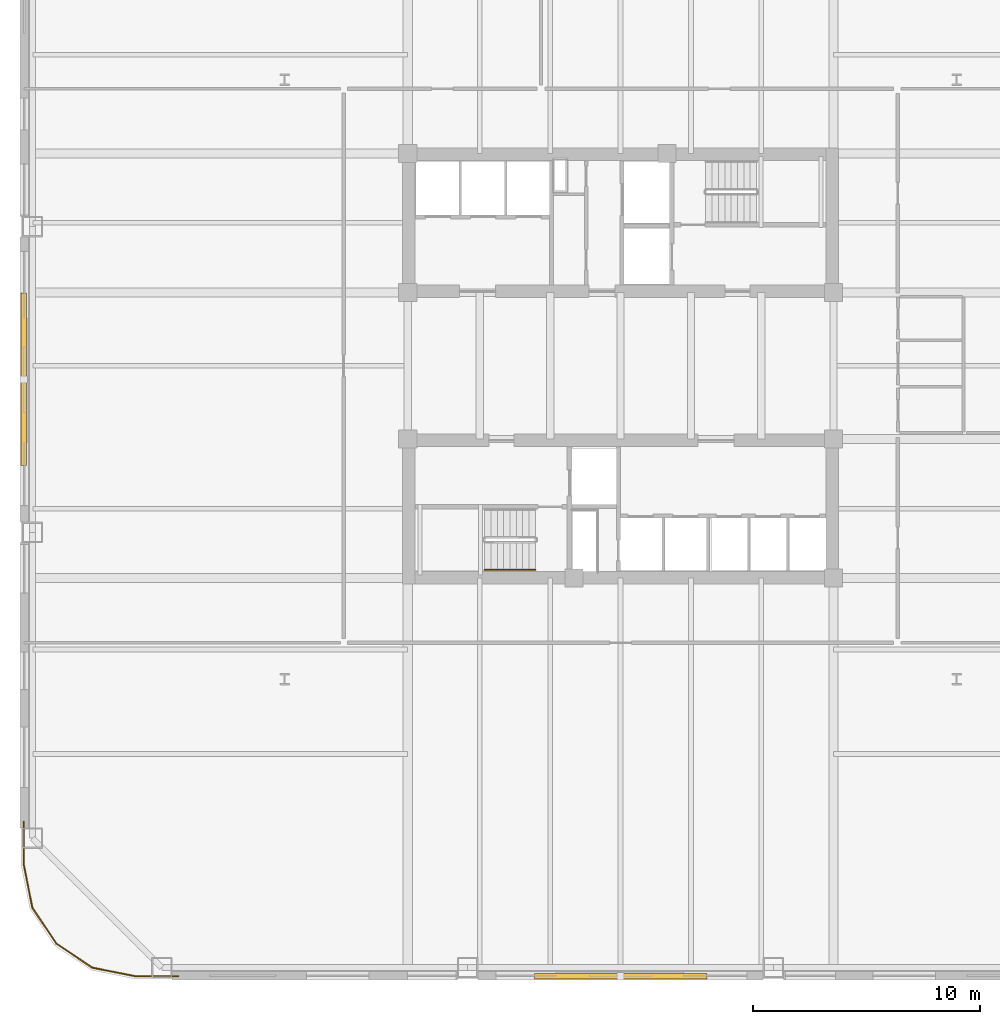
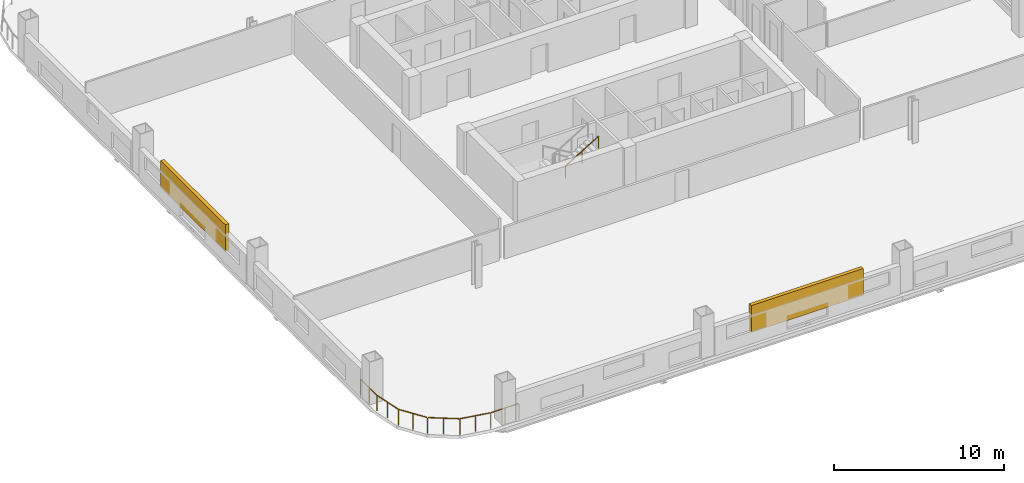
# One storey, part 6 of 11: 2 railings, 2 shading devices.
"""IFC4 building model written with IfcOpenShell, lengths in metres."""

from ifc_helpers import new_model, si_unit, direction, frame, origin, origin_2d, place, context, subcontext, project, spatial, rectangle, extrude, material, type_object, element, save


model = new_model("IFC4")

# Units and contexts
model_context = context("Model", 3, precision=1e-05, world=origin(), true_north=direction((0.0, 1.0)))
body_context = subcontext(model_context, "Body", "Model", "MODEL_VIEW")
ifc_project = project(units=[si_unit("LENGTHUNIT", "METRE"), si_unit("AREAUNIT", "SQUARE_METRE"), si_unit("VOLUMEUNIT", "CUBIC_METRE"), si_unit("PLANEANGLEUNIT", "RADIAN"), si_unit("MASSUNIT", "GRAM", prefix="KILO")], contexts=[model_context])

# Site, building, storey
site_placement = place(None, origin())
site = spatial("IfcSite", under=ifc_project, at=site_placement, CompositionType="ELEMENT")
building_placement = place(site_placement, origin())
building = spatial("IfcBuilding", under=site, at=building_placement, Name="Qhalaya Broadcast Tower", CompositionType="ELEMENT")
storey_placement = place(building_placement, frame((0.0, 0.0, 29.14990234375)))
storey = spatial("IfcBuildingStorey", under=building, at=storey_placement, Name="L07", CompositionType="ELEMENT", Elevation=29.14990234375)

# Railings
ifc_material_1 = material(Name="Powder-Coated Galvanised Steel", Category="steel")
railing_type_1 = type_object("IfcRailingType", Name="Stair Wall Handrail 900", PredefinedType="HANDRAIL", material=ifc_material_1)
railing_1_placement = place(storey_placement, frame((-5.989990234375, -8.389892578125, 1.694580078125)))
element("IfcRailing", 1, at=railing_1_placement, inside=storey, type_object=railing_type_1, Name="L07 ST-2 Stair Handrail 2", PredefinedType="HANDRAIL", context=body_context, shape_type="SweptSolid", body=[
    extrude(rectangle(XDim=0.048095703125, YDim=0.048095703125, at=origin_2d()), frame((0.0, 0.0, 0.8759765625), z_axis=(0.855553338991, 0.0, 0.51771467445), x_axis=(0.0, 1.0, 0.0)), (0.0, 0.0, 1.0), 2.6181640625),
    extrude(rectangle(XDim=0.0419921875, YDim=0.0419921875, at=origin_2d()), origin(), (0.0, 0.0, 1.0), 0.849853515625),
    extrude(rectangle(XDim=0.0419921875, YDim=0.0419921875, at=origin_2d()), frame((1.1201171875, 0.0, 0.677734375)), (0.0, 0.0, 1.0), 0.849853515625),
    extrude(rectangle(XDim=0.0419921875, YDim=0.0419921875, at=origin_2d()), frame((2.239990234375, 0.0, 1.35546875)), (0.0, 0.0, 1.0), 0.849853515625),
])
railing_type_2 = type_object("IfcRailingType", Name="Terrace, Sky-Pool & Lookout Glass Balustrade 1150", PredefinedType="BALUSTRADE", material=ifc_material_1)
railing_2_placement = place(storey_placement, frame((-19.48193359375, -26.280029296875, 0.0)))
element("IfcRailing", 2, at=railing_2_placement, inside=storey, type_object=railing_type_2, Name="L07 Rounded Corner Perimeter Guard 02", PredefinedType="BALUSTRADE", context=body_context, shape_type="SweptSolid", body=[
    extrude(rectangle(XDim=0.048095703125, YDim=0.048095703125, at=origin_2d()), frame((0.0, 0.0, 1.1259765625), z_axis=(-1.0, 0.0, 0.0), x_axis=(0.0, -1.0, 0.0)), (0.0, 0.0, 1.0), 1.87744140625),
    extrude(rectangle(XDim=0.048095703125, YDim=0.048095703125, at=origin_2d()), frame((-1.9345703125, 0.005615234375, 1.1259765625), z_axis=(-0.980795810058, 0.195037378397, 0.0), x_axis=(-0.195037378397, -0.980795810058, 0.0)), (0.0, 0.0, 1.0), 1.857421875),
    extrude(rectangle(XDim=0.048095703125, YDim=0.048095703125, at=origin_2d()), frame((-3.80859375, 0.3896484375, 1.1259765625), z_axis=(-0.831477548332, 0.555558355728, 0.0), x_axis=(-0.555558355728, -0.831477548332, 0.0)), (0.0, 0.0, 1.0), 1.845458984375),
    extrude(rectangle(XDim=0.048095703125, YDim=0.048095703125, at=origin_2d()), frame((-5.38330078125, 1.454833984375, 1.1259765625), z_axis=(-0.555558355728, 0.831477548332, 0.0), x_axis=(-0.831477548332, -0.555558355728, 0.0)), (0.0, 0.0, 1.0), 1.845458984375),
    extrude(rectangle(XDim=0.048095703125, YDim=0.048095703125, at=origin_2d()), frame((-6.43017578125, 3.041748046875, 1.1259765625), z_axis=(-0.195037378397, 0.980795810058, 0.0), x_axis=(-0.980795810058, -0.195037378397, 0.0)), (0.0, 0.0, 1.0), 1.857421875),
    extrude(rectangle(XDim=0.048095703125, YDim=0.048095703125, at=origin_2d()), frame((-6.798095703125, 4.920654296875, 1.1259765625), z_axis=(0.0, 1.0, 0.0), x_axis=(-1.0, 0.0, 0.0)), (0.0, 0.0, 1.0), 1.87744140625),
    extrude(rectangle(XDim=0.0419921875, YDim=0.0419921875, at=origin_2d()), origin(), (0.0, 0.0, 1.0), 1.099853515625),
    extrude(rectangle(XDim=0.0419921875, YDim=0.0419921875, at=origin_2d()), frame((-0.953125, 0.0, 0.0)), (0.0, 0.0, 1.0), 1.099853515625),
    extrude(rectangle(XDim=0.0419921875, YDim=0.0419921875, at=origin_2d()), frame((-1.90625, 0.0, 0.0)), (0.0, 0.0, 1.0), 1.099853515625),
    extrude(rectangle(XDim=0.0419921875, YDim=0.0419921875, at=origin_2d()), frame((-2.845458984375, 0.186767578125, 0.0)), (0.0, 0.0, 1.0), 1.099853515625),
    extrude(rectangle(XDim=0.0419921875, YDim=0.0419921875, at=origin_2d()), frame((-3.78466796875, 0.37353515625, 0.0)), (0.0, 0.0, 1.0), 1.099853515625),
    extrude(rectangle(XDim=0.0419921875, YDim=0.0419921875, at=origin_2d()), frame((-4.575927734375, 0.90234375, 0.0)), (0.0, 0.0, 1.0), 1.099853515625),
    extrude(rectangle(XDim=0.0419921875, YDim=0.0419921875, at=origin_2d()), frame((-5.3671875, 1.430908203125, 0.0)), (0.0, 0.0, 1.0), 1.099853515625),
    extrude(rectangle(XDim=0.0419921875, YDim=0.0419921875, at=origin_2d()), frame((-5.89599609375, 2.22216796875, 0.0)), (0.0, 0.0, 1.0), 1.099853515625),
    extrude(rectangle(XDim=0.0419921875, YDim=0.0419921875, at=origin_2d()), frame((-6.424560546875, 3.013427734375, 0.0)), (0.0, 0.0, 1.0), 1.099853515625),
    extrude(rectangle(XDim=0.0419921875, YDim=0.0419921875, at=origin_2d()), frame((-6.611328125, 3.95263671875, 0.0)), (0.0, 0.0, 1.0), 1.099853515625),
    extrude(rectangle(XDim=0.0419921875, YDim=0.0419921875, at=origin_2d()), frame((-6.798095703125, 4.891845703125, 0.0)), (0.0, 0.0, 1.0), 1.099853515625),
    extrude(rectangle(XDim=0.0419921875, YDim=0.0419921875, at=origin_2d()), frame((-6.798095703125, 5.844970703125, 0.0)), (0.0, 0.0, 1.0), 1.099853515625),
    extrude(rectangle(XDim=0.0419921875, YDim=0.0419921875, at=origin_2d()), frame((-6.798095703125, 6.798095703125, 0.0)), (0.0, 0.0, 1.0), 1.099853515625),
])

# Shading devices
ifc_material_2 = material(Name="Fired Architectural Terracotta", Category="masonry")
shading_device_type = type_object("IfcShadingDeviceType", Name="Terracotta Baguette Solar Screen Assembly TBS-01", PredefinedType="USERDEFINED", material=ifc_material_2)
for number, where, z_axis, x_axis, name in (
    (3, (0.0, -26.280029296875, 0.79248046875), (0.0, 0.0, 1.0), (1.0, 0.0, 0.0), "L07 Fired Terracotta Baguette Screen S"),
    (4, (-26.280029296875, 0.0, 0.79248046875), (0.0, 0.0, 1.0), (0.0, -1.0, 0.0), "L07 Fired Terracotta Baguette Screen W"),
):
    element("IfcShadingDevice", number, at=place(storey_placement, frame(where, z_axis=z_axis, x_axis=x_axis)), inside=storey, type_object=shading_device_type, Name=name, ObjectType="BAGUETTE", PredefinedType="USERDEFINED", context=body_context, shape_type="SweptSolid", body=[
        extrude(rectangle(XDim=7.60009765625, YDim=0.239990234375, at=origin_2d()), origin(), (0.0, 0.0, 1.0), 1.924072265625),
    ])

save(model, "model.ifc")
